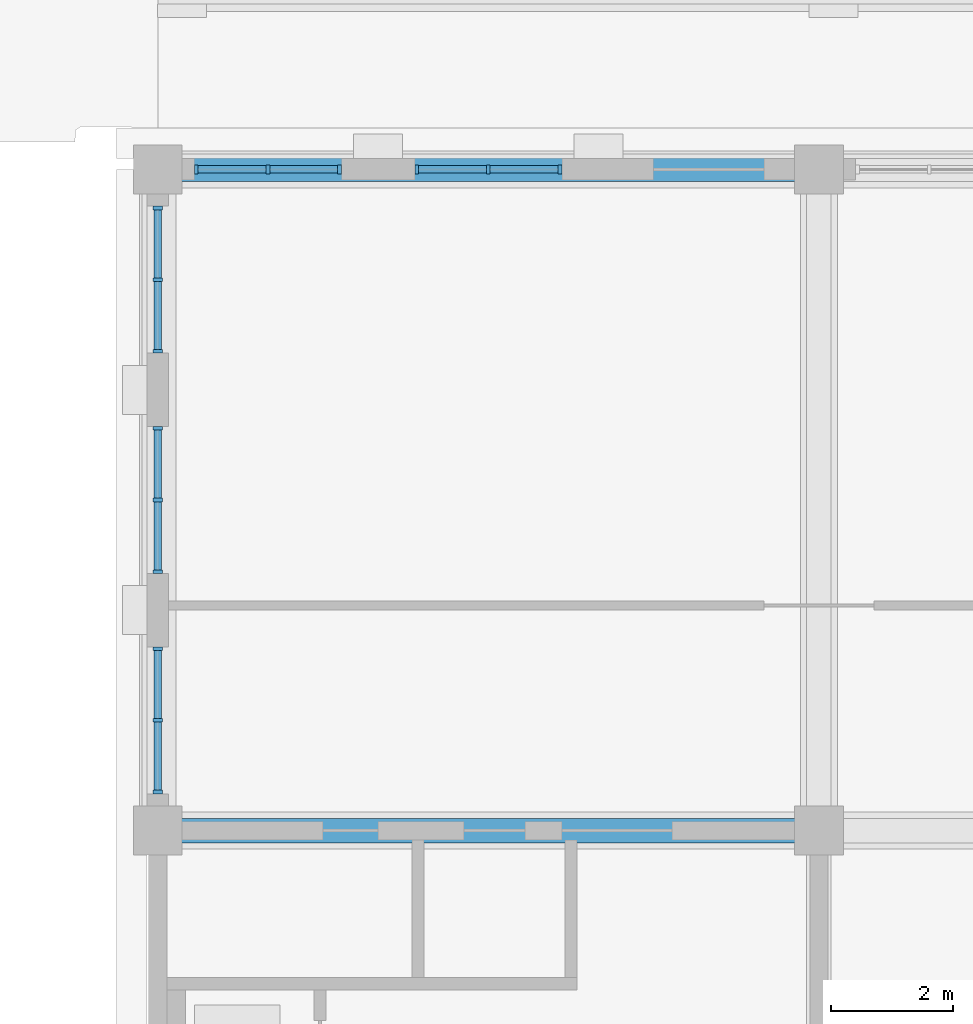
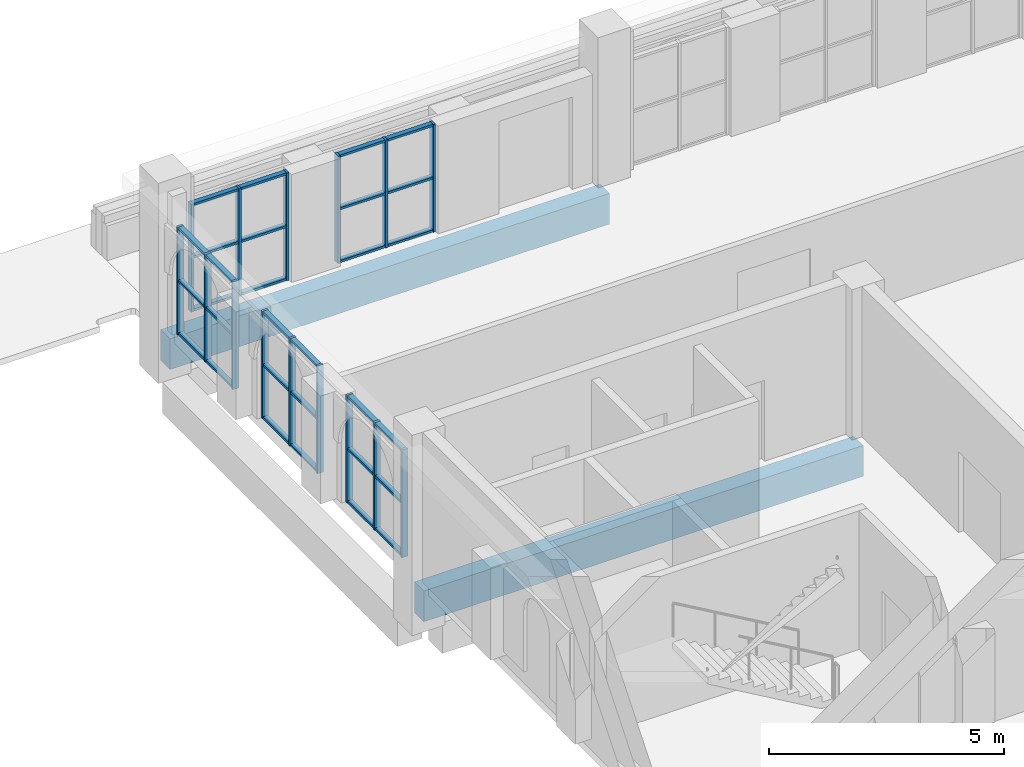
# One storey, part 24 of 95: 45 members, 2 beams, 5 elements without a shape of their own.
"""IFC4 building model written with IfcOpenShell, lengths in metres."""

from ifc_helpers import new_model, si_unit, direction, frame, origin, origin_2d, place, context, subcontext, project, spatial, rectangle, extrude, material, layer, layer_set, material_profile, profile_set, type_object, element, aggregate, save


model = new_model("IFC4")

# Units and contexts
model_context = context("Model", 3, precision=1e-05, world=origin(), true_north=direction((0.0, 1.0)))
body_context = subcontext(model_context, "Body", "Model", "MODEL_VIEW")
ifc_project = project(units=[si_unit("LENGTHUNIT", "METRE"), si_unit("AREAUNIT", "SQUARE_METRE"), si_unit("VOLUMEUNIT", "CUBIC_METRE"), si_unit("PLANEANGLEUNIT", "RADIAN"), si_unit("MASSUNIT", "GRAM", prefix="KILO")], contexts=[model_context])

# Site, building, storey
site_placement = place(None, origin())
site = spatial("IfcSite", under=ifc_project, at=site_placement, CompositionType="ELEMENT")
building_placement = place(site_placement, origin())
building = spatial("IfcBuilding", under=site, at=building_placement, Name="Magnolia Steps Interchange", CompositionType="ELEMENT")
storey_placement = place(building_placement, frame((0.0, 0.0, 4.800048828125)))
storey = spatial("IfcBuildingStorey", under=building, at=storey_placement, Name="L01", CompositionType="ELEMENT", Elevation=4.800048828125)

# Curtain wall, members
ifc_material_1 = material(Name="Powder-coated aluminium and glass", Category="aluminium")
ifc_layer = layer(ifc_material_1, 0.179931640625)
ifc_layer_set = layer_set([ifc_layer], Name="Lobby shopfront curtain wall")
curtain_wall_type = type_object("IfcCurtainWallType", Name="Lobby shopfront curtain wall", PredefinedType="NOTDEFINED", material=ifc_layer_set)
curtain_wall_1_placement = place(storey_placement, origin())
curtain_wall_1 = element("IfcCurtainWall", 1, at=curtain_wall_1_placement, inside=storey, type_object=curtain_wall_type, Name="Operations lobby north glazing 2", PredefinedType="NOTDEFINED")
ifc_material_2 = material(Name="White powder-coated aluminium", Category="aluminium")
ifc_material_profile_1 = material_profile(ifc_material_2, rectangle(XDim=0.06005859375, YDim=0.14990234375, at=origin_2d()), Name="Aluminium mullion 60 x 150")
ifc_profile_set_1 = profile_set([ifc_material_profile_1], Name="White powder-coated aluminium")
member_type_1 = type_object("IfcMemberType", Name="Aluminium mullion 60 x 150", PredefinedType="MULLION", material=ifc_profile_set_1)
member_1_placement = place(storey_placement, frame((64.6298828125, 118.0, 0.0), z_axis=(0.0, 0.0, 1.0), x_axis=(1.0, 0.0, 0.0)))
member_1 = element("IfcMember", 2, at=member_1_placement, type_object=member_type_1, Name="CW5 mullion 1", PredefinedType="MULLION", context=body_context, shape_type="SweptSolid", body=[
    extrude(rectangle(XDim=0.06005859375, YDim=0.14990234375, at=origin_2d()), origin(), (0.0, 0.0, 1.0), 2.800048828125),
])
member_2_placement = place(storey_placement, frame((65.800048828125, 118.0, 0.0), z_axis=(0.0, 0.0, 1.0), x_axis=(1.0, 0.0, 0.0)))
member_2 = element("IfcMember", 3, at=member_2_placement, type_object=member_type_1, Name="CW5 mullion 2", PredefinedType="MULLION", context=body_context, shape_type="SweptSolid", body=[
    extrude(rectangle(XDim=0.06005859375, YDim=0.14990234375, at=origin_2d()), origin(), (0.0, 0.0, 1.0), 2.800048828125),
])
member_3_placement = place(storey_placement, frame((66.969970703125, 118.0, 0.0), z_axis=(0.0, 0.0, 1.0), x_axis=(1.0, 0.0, 0.0)))
member_3 = element("IfcMember", 4, at=member_3_placement, type_object=member_type_1, Name="CW5 mullion 3", PredefinedType="MULLION", context=body_context, shape_type="SweptSolid", body=[
    extrude(rectangle(XDim=0.06005859375, YDim=0.14990234375, at=origin_2d()), origin(), (0.0, 0.0, 1.0), 2.800048828125),
])

curtain_wall_2_placement = place(storey_placement, origin())
curtain_wall_2 = element("IfcCurtainWall", 5, at=curtain_wall_2_placement, inside=storey, type_object=curtain_wall_type, Name="Operations lobby north glazing 4", PredefinedType="NOTDEFINED")
member_4_placement = place(storey_placement, frame((68.22998046875, 118.0, 0.0), z_axis=(0.0, 0.0, 1.0), x_axis=(1.0, 0.0, 0.0)))
member_4 = element("IfcMember", 6, at=member_4_placement, type_object=member_type_1, Name="CW5 mullion 1", PredefinedType="MULLION", context=body_context, shape_type="SweptSolid", body=[
    extrude(rectangle(XDim=0.06005859375, YDim=0.14990234375, at=origin_2d()), origin(), (0.0, 0.0, 1.0), 2.800048828125),
])
member_5_placement = place(storey_placement, frame((69.39990234375, 118.0, 0.0), z_axis=(0.0, 0.0, 1.0), x_axis=(1.0, 0.0, 0.0)))
member_5 = element("IfcMember", 7, at=member_5_placement, type_object=member_type_1, Name="CW5 mullion 2", PredefinedType="MULLION", context=body_context, shape_type="SweptSolid", body=[
    extrude(rectangle(XDim=0.06005859375, YDim=0.14990234375, at=origin_2d()), origin(), (0.0, 0.0, 1.0), 2.800048828125),
])
member_6_placement = place(storey_placement, frame((70.570068359375, 118.0, 0.0), z_axis=(0.0, 0.0, 1.0), x_axis=(1.0, 0.0, 0.0)))
member_6 = element("IfcMember", 8, at=member_6_placement, type_object=member_type_1, Name="CW5 mullion 3", PredefinedType="MULLION", context=body_context, shape_type="SweptSolid", body=[
    extrude(rectangle(XDim=0.06005859375, YDim=0.14990234375, at=origin_2d()), origin(), (0.0, 0.0, 1.0), 2.800048828125),
])

curtain_wall_3_placement = place(storey_placement, origin())
curtain_wall_3 = element("IfcCurtainWall", 9, at=curtain_wall_3_placement, inside=storey, type_object=curtain_wall_type, Name="Operations lobby west glazing 2", PredefinedType="NOTDEFINED")
member_7_placement = place(storey_placement, frame((64.0, 107.830078125, 0.0), z_axis=(0.0, 0.0, 1.0), x_axis=(0.0, 1.0, 0.0)))
member_7 = element("IfcMember", 10, at=member_7_placement, type_object=member_type_1, Name="CW5 mullion 1", PredefinedType="MULLION", context=body_context, shape_type="SweptSolid", body=[
    extrude(rectangle(XDim=0.06005859375, YDim=0.14990234375, at=origin_2d()), origin(), (0.0, 0.0, 1.0), 2.800048828125),
])
member_8_placement = place(storey_placement, frame((64.0, 109.0, 0.0), z_axis=(0.0, 0.0, 1.0), x_axis=(0.0, 1.0, 0.0)))
member_8 = element("IfcMember", 11, at=member_8_placement, type_object=member_type_1, Name="CW5 mullion 2", PredefinedType="MULLION", context=body_context, shape_type="SweptSolid", body=[
    extrude(rectangle(XDim=0.06005859375, YDim=0.14990234375, at=origin_2d()), origin(), (0.0, 0.0, 1.0), 2.800048828125),
])
member_9_placement = place(storey_placement, frame((64.0, 110.169921875, 0.0), z_axis=(0.0, 0.0, 1.0), x_axis=(0.0, 1.0, 0.0)))
member_9 = element("IfcMember", 12, at=member_9_placement, type_object=member_type_1, Name="CW5 mullion 3", PredefinedType="MULLION", context=body_context, shape_type="SweptSolid", body=[
    extrude(rectangle(XDim=0.06005859375, YDim=0.14990234375, at=origin_2d()), origin(), (0.0, 0.0, 1.0), 2.800048828125),
])

curtain_wall_4_placement = place(storey_placement, origin())
curtain_wall_4 = element("IfcCurtainWall", 13, at=curtain_wall_4_placement, inside=storey, type_object=curtain_wall_type, Name="Operations lobby west glazing 4", PredefinedType="NOTDEFINED")
member_10_placement = place(storey_placement, frame((64.0, 111.429931640625, 0.0), z_axis=(0.0, 0.0, 1.0), x_axis=(0.0, 1.0, 0.0)))
member_10 = element("IfcMember", 14, at=member_10_placement, type_object=member_type_1, Name="CW5 mullion 1", PredefinedType="MULLION", context=body_context, shape_type="SweptSolid", body=[
    extrude(rectangle(XDim=0.06005859375, YDim=0.14990234375, at=origin_2d()), origin(), (0.0, 0.0, 1.0), 2.800048828125),
])
member_11_placement = place(storey_placement, frame((64.0, 112.60009765625, 0.0), z_axis=(0.0, 0.0, 1.0), x_axis=(0.0, 1.0, 0.0)))
member_11 = element("IfcMember", 15, at=member_11_placement, type_object=member_type_1, Name="CW5 mullion 2", PredefinedType="MULLION", context=body_context, shape_type="SweptSolid", body=[
    extrude(rectangle(XDim=0.06005859375, YDim=0.14990234375, at=origin_2d()), origin(), (0.0, 0.0, 1.0), 2.800048828125),
])
member_12_placement = place(storey_placement, frame((64.0, 113.77001953125, 0.0), z_axis=(0.0, 0.0, 1.0), x_axis=(0.0, 1.0, 0.0)))
member_12 = element("IfcMember", 16, at=member_12_placement, type_object=member_type_1, Name="CW5 mullion 3", PredefinedType="MULLION", context=body_context, shape_type="SweptSolid", body=[
    extrude(rectangle(XDim=0.06005859375, YDim=0.14990234375, at=origin_2d()), origin(), (0.0, 0.0, 1.0), 2.800048828125),
])

curtain_wall_5_placement = place(storey_placement, origin())
curtain_wall_5 = element("IfcCurtainWall", 17, at=curtain_wall_5_placement, inside=storey, type_object=curtain_wall_type, Name="Operations lobby west glazing 6", PredefinedType="NOTDEFINED")
member_13_placement = place(storey_placement, frame((64.0, 115.030029296875, 0.0), z_axis=(0.0, 0.0, 1.0), x_axis=(0.0, 1.0, 0.0)))
member_13 = element("IfcMember", 18, at=member_13_placement, type_object=member_type_1, Name="CW5 mullion 1", PredefinedType="MULLION", context=body_context, shape_type="SweptSolid", body=[
    extrude(rectangle(XDim=0.06005859375, YDim=0.14990234375, at=origin_2d()), origin(), (0.0, 0.0, 1.0), 2.800048828125),
])
member_14_placement = place(storey_placement, frame((64.0, 116.199951171875, 0.0), z_axis=(0.0, 0.0, 1.0), x_axis=(0.0, 1.0, 0.0)))
member_14 = element("IfcMember", 19, at=member_14_placement, type_object=member_type_1, Name="CW5 mullion 2", PredefinedType="MULLION", context=body_context, shape_type="SweptSolid", body=[
    extrude(rectangle(XDim=0.06005859375, YDim=0.14990234375, at=origin_2d()), origin(), (0.0, 0.0, 1.0), 2.800048828125),
])
member_15_placement = place(storey_placement, frame((64.0, 117.3701171875, 0.0), z_axis=(0.0, 0.0, 1.0), x_axis=(0.0, 1.0, 0.0)))
member_15 = element("IfcMember", 20, at=member_15_placement, type_object=member_type_1, Name="CW5 mullion 3", PredefinedType="MULLION", context=body_context, shape_type="SweptSolid", body=[
    extrude(rectangle(XDim=0.06005859375, YDim=0.14990234375, at=origin_2d()), origin(), (0.0, 0.0, 1.0), 2.800048828125),
])

# Member
ifc_material_3 = material(Name="White powder-coated aluminium", Category="aluminium")
ifc_material_profile_2 = material_profile(ifc_material_3, rectangle(XDim=0.06005859375, YDim=0.1201171875, at=origin_2d()), Name="Aluminium transom 60 x 120")
ifc_profile_set_2 = profile_set([ifc_material_profile_2], Name="White powder-coated aluminium")
member_type_2 = type_object("IfcMemberType", Name="Aluminium transom 60 x 120", PredefinedType="USERDEFINED", material=ifc_profile_set_2)
member_16_placement = place(storey_placement, frame((64.659912109375, 118.0, 0.030029296875), z_axis=(1.0, 0.0, 0.0), x_axis=(0.0, 0.0, 1.0)))
member_16 = element("IfcMember", 21, at=member_16_placement, type_object=member_type_2, Name="CW5 transom 1.1", ObjectType="TRANSOM", PredefinedType="USERDEFINED", context=body_context, shape_type="SweptSolid", body=[
    extrude(rectangle(XDim=0.06005859375, YDim=0.1201171875, at=origin_2d()), origin(), (0.0, 0.0, 1.0), 1.110107421875),
])

member_17_placement = place(storey_placement, frame((64.659912109375, 118.0, 1.39990234375), z_axis=(1.0, 0.0, 0.0), x_axis=(0.0, 0.0, 1.0)))
member_17 = element("IfcMember", 22, at=member_17_placement, type_object=member_type_2, Name="CW5 transom 1.2", ObjectType="TRANSOM", PredefinedType="USERDEFINED", context=body_context, shape_type="SweptSolid", body=[
    extrude(rectangle(XDim=0.06005859375, YDim=0.1201171875, at=origin_2d()), origin(), (0.0, 0.0, 1.0), 1.110107421875),
])

member_18_placement = place(storey_placement, frame((64.659912109375, 118.0, 2.77001953125), z_axis=(1.0, 0.0, 0.0), x_axis=(0.0, 0.0, 1.0)))
member_18 = element("IfcMember", 23, at=member_18_placement, type_object=member_type_2, Name="CW5 transom 1.3", ObjectType="TRANSOM", PredefinedType="USERDEFINED", context=body_context, shape_type="SweptSolid", body=[
    extrude(rectangle(XDim=0.06005859375, YDim=0.1201171875, at=origin_2d()), origin(), (0.0, 0.0, 1.0), 1.110107421875),
])

member_19_placement = place(storey_placement, frame((65.830078125, 118.0, 0.030029296875), z_axis=(1.0, 0.0, 0.0), x_axis=(0.0, 0.0, 1.0)))
member_19 = element("IfcMember", 24, at=member_19_placement, type_object=member_type_2, Name="CW5 transom 2.1", ObjectType="TRANSOM", PredefinedType="USERDEFINED", context=body_context, shape_type="SweptSolid", body=[
    extrude(rectangle(XDim=0.06005859375, YDim=0.1201171875, at=origin_2d()), origin(), (0.0, 0.0, 1.0), 1.10986328125),
])

member_20_placement = place(storey_placement, frame((65.830078125, 118.0, 1.39990234375), z_axis=(1.0, 0.0, 0.0), x_axis=(0.0, 0.0, 1.0)))
member_20 = element("IfcMember", 25, at=member_20_placement, type_object=member_type_2, Name="CW5 transom 2.2", ObjectType="TRANSOM", PredefinedType="USERDEFINED", context=body_context, shape_type="SweptSolid", body=[
    extrude(rectangle(XDim=0.06005859375, YDim=0.1201171875, at=origin_2d()), origin(), (0.0, 0.0, 1.0), 1.10986328125),
])

member_21_placement = place(storey_placement, frame((65.830078125, 118.0, 2.77001953125), z_axis=(1.0, 0.0, 0.0), x_axis=(0.0, 0.0, 1.0)))
member_21 = element("IfcMember", 26, at=member_21_placement, type_object=member_type_2, Name="CW5 transom 2.3", ObjectType="TRANSOM", PredefinedType="USERDEFINED", context=body_context, shape_type="SweptSolid", body=[
    extrude(rectangle(XDim=0.06005859375, YDim=0.1201171875, at=origin_2d()), origin(), (0.0, 0.0, 1.0), 1.10986328125),
])

aggregate(curtain_wall_1, [member_1, member_2, member_3, member_16, member_17, member_18, member_19, member_20, member_21])

member_22_placement = place(storey_placement, frame((68.260009765625, 118.0, 0.030029296875), z_axis=(1.0, 0.0, 0.0), x_axis=(0.0, 0.0, 1.0)))
member_22 = element("IfcMember", 27, at=member_22_placement, type_object=member_type_2, Name="CW5 transom 1.1", ObjectType="TRANSOM", PredefinedType="USERDEFINED", context=body_context, shape_type="SweptSolid", body=[
    extrude(rectangle(XDim=0.06005859375, YDim=0.1201171875, at=origin_2d()), origin(), (0.0, 0.0, 1.0), 1.110107421875),
])

member_23_placement = place(storey_placement, frame((68.260009765625, 118.0, 1.39990234375), z_axis=(1.0, 0.0, 0.0), x_axis=(0.0, 0.0, 1.0)))
member_23 = element("IfcMember", 28, at=member_23_placement, type_object=member_type_2, Name="CW5 transom 1.2", ObjectType="TRANSOM", PredefinedType="USERDEFINED", context=body_context, shape_type="SweptSolid", body=[
    extrude(rectangle(XDim=0.06005859375, YDim=0.1201171875, at=origin_2d()), origin(), (0.0, 0.0, 1.0), 1.110107421875),
])

member_24_placement = place(storey_placement, frame((68.260009765625, 118.0, 2.77001953125), z_axis=(1.0, 0.0, 0.0), x_axis=(0.0, 0.0, 1.0)))
member_24 = element("IfcMember", 29, at=member_24_placement, type_object=member_type_2, Name="CW5 transom 1.3", ObjectType="TRANSOM", PredefinedType="USERDEFINED", context=body_context, shape_type="SweptSolid", body=[
    extrude(rectangle(XDim=0.06005859375, YDim=0.1201171875, at=origin_2d()), origin(), (0.0, 0.0, 1.0), 1.110107421875),
])

member_25_placement = place(storey_placement, frame((69.429931640625, 118.0, 0.030029296875), z_axis=(1.0, 0.0, 0.0), x_axis=(0.0, 0.0, 1.0)))
member_25 = element("IfcMember", 30, at=member_25_placement, type_object=member_type_2, Name="CW5 transom 2.1", ObjectType="TRANSOM", PredefinedType="USERDEFINED", context=body_context, shape_type="SweptSolid", body=[
    extrude(rectangle(XDim=0.06005859375, YDim=0.1201171875, at=origin_2d()), origin(), (0.0, 0.0, 1.0), 1.110107421875),
])

member_26_placement = place(storey_placement, frame((69.429931640625, 118.0, 1.39990234375), z_axis=(1.0, 0.0, 0.0), x_axis=(0.0, 0.0, 1.0)))
member_26 = element("IfcMember", 31, at=member_26_placement, type_object=member_type_2, Name="CW5 transom 2.2", ObjectType="TRANSOM", PredefinedType="USERDEFINED", context=body_context, shape_type="SweptSolid", body=[
    extrude(rectangle(XDim=0.06005859375, YDim=0.1201171875, at=origin_2d()), origin(), (0.0, 0.0, 1.0), 1.110107421875),
])

member_27_placement = place(storey_placement, frame((69.429931640625, 118.0, 2.77001953125), z_axis=(1.0, 0.0, 0.0), x_axis=(0.0, 0.0, 1.0)))
member_27 = element("IfcMember", 32, at=member_27_placement, type_object=member_type_2, Name="CW5 transom 2.3", ObjectType="TRANSOM", PredefinedType="USERDEFINED", context=body_context, shape_type="SweptSolid", body=[
    extrude(rectangle(XDim=0.06005859375, YDim=0.1201171875, at=origin_2d()), origin(), (0.0, 0.0, 1.0), 1.110107421875),
])

aggregate(curtain_wall_2, [member_4, member_5, member_6, member_22, member_23, member_24, member_25, member_26, member_27])

member_28_placement = place(storey_placement, frame((64.0, 107.860107421875, 0.030029296875), z_axis=(0.0, 1.0, 0.0), x_axis=(0.0, 0.0, 1.0)))
member_28 = element("IfcMember", 33, at=member_28_placement, type_object=member_type_2, Name="CW5 transom 1.1", ObjectType="TRANSOM", PredefinedType="USERDEFINED", context=body_context, shape_type="SweptSolid", body=[
    extrude(rectangle(XDim=0.06005859375, YDim=0.1201171875, at=origin_2d()), origin(), (0.0, 0.0, 1.0), 1.10986328125),
])

member_29_placement = place(storey_placement, frame((64.0, 107.860107421875, 1.39990234375), z_axis=(0.0, 1.0, 0.0), x_axis=(0.0, 0.0, 1.0)))
member_29 = element("IfcMember", 34, at=member_29_placement, type_object=member_type_2, Name="CW5 transom 1.2", ObjectType="TRANSOM", PredefinedType="USERDEFINED", context=body_context, shape_type="SweptSolid", body=[
    extrude(rectangle(XDim=0.06005859375, YDim=0.1201171875, at=origin_2d()), origin(), (0.0, 0.0, 1.0), 1.10986328125),
])

member_30_placement = place(storey_placement, frame((64.0, 107.860107421875, 2.77001953125), z_axis=(0.0, 1.0, 0.0), x_axis=(0.0, 0.0, 1.0)))
member_30 = element("IfcMember", 35, at=member_30_placement, type_object=member_type_2, Name="CW5 transom 1.3", ObjectType="TRANSOM", PredefinedType="USERDEFINED", context=body_context, shape_type="SweptSolid", body=[
    extrude(rectangle(XDim=0.06005859375, YDim=0.1201171875, at=origin_2d()), origin(), (0.0, 0.0, 1.0), 1.10986328125),
])

member_31_placement = place(storey_placement, frame((64.0, 109.030029296875, 0.030029296875), z_axis=(0.0, 1.0, 0.0), x_axis=(0.0, 0.0, 1.0)))
member_31 = element("IfcMember", 36, at=member_31_placement, type_object=member_type_2, Name="CW5 transom 2.1", ObjectType="TRANSOM", PredefinedType="USERDEFINED", context=body_context, shape_type="SweptSolid", body=[
    extrude(rectangle(XDim=0.06005859375, YDim=0.1201171875, at=origin_2d()), origin(), (0.0, 0.0, 1.0), 1.10986328125),
])

member_32_placement = place(storey_placement, frame((64.0, 109.030029296875, 1.39990234375), z_axis=(0.0, 1.0, 0.0), x_axis=(0.0, 0.0, 1.0)))
member_32 = element("IfcMember", 37, at=member_32_placement, type_object=member_type_2, Name="CW5 transom 2.2", ObjectType="TRANSOM", PredefinedType="USERDEFINED", context=body_context, shape_type="SweptSolid", body=[
    extrude(rectangle(XDim=0.06005859375, YDim=0.1201171875, at=origin_2d()), origin(), (0.0, 0.0, 1.0), 1.10986328125),
])

member_33_placement = place(storey_placement, frame((64.0, 109.030029296875, 2.77001953125), z_axis=(0.0, 1.0, 0.0), x_axis=(0.0, 0.0, 1.0)))
member_33 = element("IfcMember", 38, at=member_33_placement, type_object=member_type_2, Name="CW5 transom 2.3", ObjectType="TRANSOM", PredefinedType="USERDEFINED", context=body_context, shape_type="SweptSolid", body=[
    extrude(rectangle(XDim=0.06005859375, YDim=0.1201171875, at=origin_2d()), origin(), (0.0, 0.0, 1.0), 1.10986328125),
])

aggregate(curtain_wall_3, [member_7, member_8, member_9, member_28, member_29, member_30, member_31, member_32, member_33])

member_34_placement = place(storey_placement, frame((64.0, 111.4599609375, 0.030029296875), z_axis=(0.0, 1.0, 0.0), x_axis=(0.0, 0.0, 1.0)))
member_34 = element("IfcMember", 39, at=member_34_placement, type_object=member_type_2, Name="CW5 transom 1.1", ObjectType="TRANSOM", PredefinedType="USERDEFINED", context=body_context, shape_type="SweptSolid", body=[
    extrude(rectangle(XDim=0.06005859375, YDim=0.1201171875, at=origin_2d()), origin(), (0.0, 0.0, 1.0), 1.110107421875),
])

member_35_placement = place(storey_placement, frame((64.0, 111.4599609375, 1.39990234375), z_axis=(0.0, 1.0, 0.0), x_axis=(0.0, 0.0, 1.0)))
member_35 = element("IfcMember", 40, at=member_35_placement, type_object=member_type_2, Name="CW5 transom 1.2", ObjectType="TRANSOM", PredefinedType="USERDEFINED", context=body_context, shape_type="SweptSolid", body=[
    extrude(rectangle(XDim=0.06005859375, YDim=0.1201171875, at=origin_2d()), origin(), (0.0, 0.0, 1.0), 1.110107421875),
])

member_36_placement = place(storey_placement, frame((64.0, 111.4599609375, 2.77001953125), z_axis=(0.0, 1.0, 0.0), x_axis=(0.0, 0.0, 1.0)))
member_36 = element("IfcMember", 41, at=member_36_placement, type_object=member_type_2, Name="CW5 transom 1.3", ObjectType="TRANSOM", PredefinedType="USERDEFINED", context=body_context, shape_type="SweptSolid", body=[
    extrude(rectangle(XDim=0.06005859375, YDim=0.1201171875, at=origin_2d()), origin(), (0.0, 0.0, 1.0), 1.110107421875),
])

member_37_placement = place(storey_placement, frame((64.0, 112.6298828125, 0.030029296875), z_axis=(0.0, 1.0, 0.0), x_axis=(0.0, 0.0, 1.0)))
member_37 = element("IfcMember", 42, at=member_37_placement, type_object=member_type_2, Name="CW5 transom 2.1", ObjectType="TRANSOM", PredefinedType="USERDEFINED", context=body_context, shape_type="SweptSolid", body=[
    extrude(rectangle(XDim=0.06005859375, YDim=0.1201171875, at=origin_2d()), origin(), (0.0, 0.0, 1.0), 1.110107421875),
])

member_38_placement = place(storey_placement, frame((64.0, 112.6298828125, 1.39990234375), z_axis=(0.0, 1.0, 0.0), x_axis=(0.0, 0.0, 1.0)))
member_38 = element("IfcMember", 43, at=member_38_placement, type_object=member_type_2, Name="CW5 transom 2.2", ObjectType="TRANSOM", PredefinedType="USERDEFINED", context=body_context, shape_type="SweptSolid", body=[
    extrude(rectangle(XDim=0.06005859375, YDim=0.1201171875, at=origin_2d()), origin(), (0.0, 0.0, 1.0), 1.110107421875),
])

member_39_placement = place(storey_placement, frame((64.0, 112.6298828125, 2.77001953125), z_axis=(0.0, 1.0, 0.0), x_axis=(0.0, 0.0, 1.0)))
member_39 = element("IfcMember", 44, at=member_39_placement, type_object=member_type_2, Name="CW5 transom 2.3", ObjectType="TRANSOM", PredefinedType="USERDEFINED", context=body_context, shape_type="SweptSolid", body=[
    extrude(rectangle(XDim=0.06005859375, YDim=0.1201171875, at=origin_2d()), origin(), (0.0, 0.0, 1.0), 1.110107421875),
])

aggregate(curtain_wall_4, [member_10, member_11, member_12, member_34, member_35, member_36, member_37, member_38, member_39])

member_40_placement = place(storey_placement, frame((64.0, 115.06005859375, 0.030029296875), z_axis=(0.0, 1.0, 0.0), x_axis=(0.0, 0.0, 1.0)))
member_40 = element("IfcMember", 45, at=member_40_placement, type_object=member_type_2, Name="CW5 transom 1.1", ObjectType="TRANSOM", PredefinedType="USERDEFINED", context=body_context, shape_type="SweptSolid", body=[
    extrude(rectangle(XDim=0.06005859375, YDim=0.1201171875, at=origin_2d()), origin(), (0.0, 0.0, 1.0), 1.10986328125),
])

member_41_placement = place(storey_placement, frame((64.0, 115.06005859375, 1.39990234375), z_axis=(0.0, 1.0, 0.0), x_axis=(0.0, 0.0, 1.0)))
member_41 = element("IfcMember", 46, at=member_41_placement, type_object=member_type_2, Name="CW5 transom 1.2", ObjectType="TRANSOM", PredefinedType="USERDEFINED", context=body_context, shape_type="SweptSolid", body=[
    extrude(rectangle(XDim=0.06005859375, YDim=0.1201171875, at=origin_2d()), origin(), (0.0, 0.0, 1.0), 1.10986328125),
])

member_42_placement = place(storey_placement, frame((64.0, 115.06005859375, 2.77001953125), z_axis=(0.0, 1.0, 0.0), x_axis=(0.0, 0.0, 1.0)))
member_42 = element("IfcMember", 47, at=member_42_placement, type_object=member_type_2, Name="CW5 transom 1.3", ObjectType="TRANSOM", PredefinedType="USERDEFINED", context=body_context, shape_type="SweptSolid", body=[
    extrude(rectangle(XDim=0.06005859375, YDim=0.1201171875, at=origin_2d()), origin(), (0.0, 0.0, 1.0), 1.10986328125),
])

member_43_placement = place(storey_placement, frame((64.0, 116.22998046875, 0.030029296875), z_axis=(0.0, 1.0, 0.0), x_axis=(0.0, 0.0, 1.0)))
member_43 = element("IfcMember", 48, at=member_43_placement, type_object=member_type_2, Name="CW5 transom 2.1", ObjectType="TRANSOM", PredefinedType="USERDEFINED", context=body_context, shape_type="SweptSolid", body=[
    extrude(rectangle(XDim=0.06005859375, YDim=0.1201171875, at=origin_2d()), origin(), (0.0, 0.0, 1.0), 1.110107421875),
])

member_44_placement = place(storey_placement, frame((64.0, 116.22998046875, 1.39990234375), z_axis=(0.0, 1.0, 0.0), x_axis=(0.0, 0.0, 1.0)))
member_44 = element("IfcMember", 49, at=member_44_placement, type_object=member_type_2, Name="CW5 transom 2.2", ObjectType="TRANSOM", PredefinedType="USERDEFINED", context=body_context, shape_type="SweptSolid", body=[
    extrude(rectangle(XDim=0.06005859375, YDim=0.1201171875, at=origin_2d()), origin(), (0.0, 0.0, 1.0), 1.110107421875),
])

member_45_placement = place(storey_placement, frame((64.0, 116.22998046875, 2.77001953125), z_axis=(0.0, 1.0, 0.0), x_axis=(0.0, 0.0, 1.0)))
member_45 = element("IfcMember", 50, at=member_45_placement, type_object=member_type_2, Name="CW5 transom 2.3", ObjectType="TRANSOM", PredefinedType="USERDEFINED", context=body_context, shape_type="SweptSolid", body=[
    extrude(rectangle(XDim=0.06005859375, YDim=0.1201171875, at=origin_2d()), origin(), (0.0, 0.0, 1.0), 1.110107421875),
])

aggregate(curtain_wall_5, [member_13, member_14, member_15, member_40, member_41, member_42, member_43, member_44, member_45])

# Beams
ifc_material_4 = material(Name="Concrete C40", Category="concrete")
ifc_material_profile_3 = material_profile(ifc_material_4, rectangle(XDim=0.39990234375, YDim=0.800048828125, at=origin_2d()), Name="RC400x800")
ifc_profile_set_3 = profile_set([ifc_material_profile_3], Name="Concrete C40")
beam_type = type_object("IfcBeamType", Name="RC beam 400x800", PredefinedType="BEAM", material=ifc_profile_set_3)
for number, where, z_axis, x_axis, name in (
    (51, (64.0, 107.199951171875, -0.800048828125), (1.0, 0.0, 0.0), (0.0, 1.0, 0.0), "Beam L01 J 6-7"),
    (52, (64.0, 118.0, -0.800048828125), (1.0, 0.0, 0.0), (0.0, 1.0, 0.0), "Beam L01 K 6-7"),
):
    element("IfcBeam", number, at=place(storey_placement, frame(where, z_axis=z_axis, x_axis=x_axis)), inside=storey, type_object=beam_type, Name=name, PredefinedType="BEAM", context=body_context, shape_type="SweptSolid", body=[
        extrude(rectangle(XDim=0.39990234375, YDim=0.800048828125, at=origin_2d()), origin(), (0.0, 0.0, 1.0), 10.800048828125),
    ])

save(model, "model.ifc")
